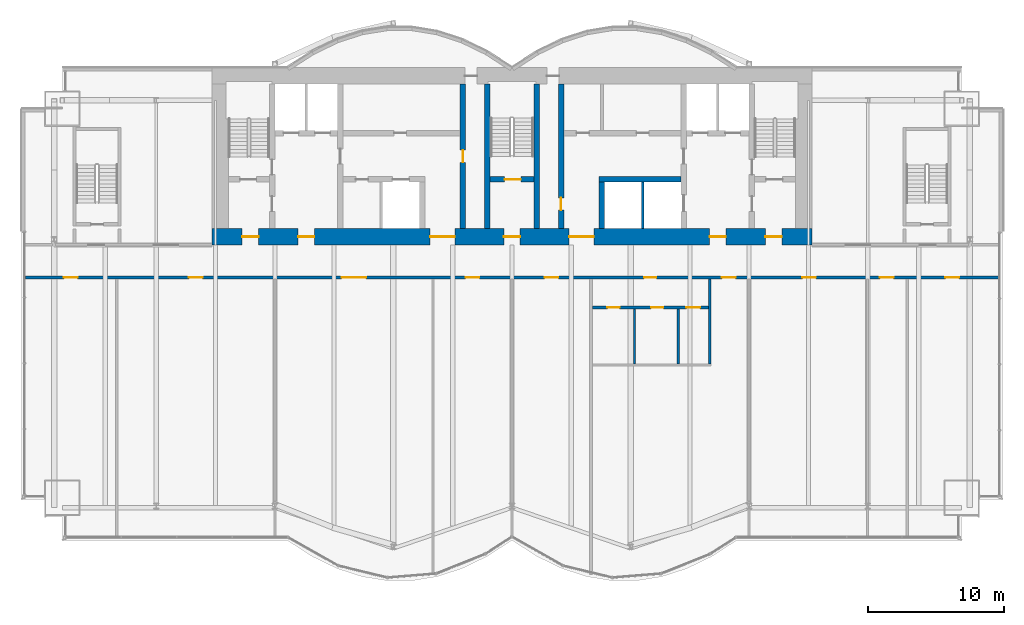
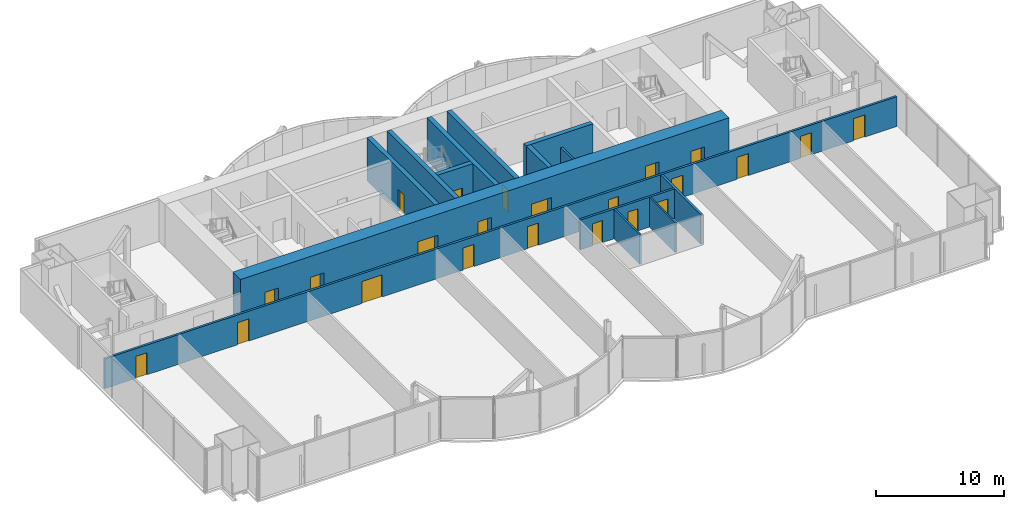
# One storey, part 16 of 21: 23 doors, 14 walls, 23 openings.
"""IFC4 building model written with IfcOpenShell, lengths in metres."""

from ifc_helpers import new_model, si_unit, direction, frame, frame_2d, origin, place, context, subcontext, project, spatial, rectangle, extrude, material, layer, layer_set, type_object, element, fill, save


model = new_model("IFC4")

# Units and contexts
model_context = context("Model", 3, precision=1e-05, world=origin(), true_north=direction((0.0, 1.0)))
body_context = subcontext(model_context, "Body", "Model", "MODEL_VIEW")
ifc_project = project(units=[si_unit("LENGTHUNIT", "METRE"), si_unit("AREAUNIT", "SQUARE_METRE"), si_unit("VOLUMEUNIT", "CUBIC_METRE"), si_unit("PLANEANGLEUNIT", "RADIAN"), si_unit("MASSUNIT", "GRAM", prefix="KILO")], contexts=[model_context])

# Site, building, storey
site_placement = place(None, origin())
site = spatial("IfcSite", under=ifc_project, at=site_placement, CompositionType="ELEMENT")
building_placement = place(site_placement, origin())
building = spatial("IfcBuilding", under=site, at=building_placement, Name="Bicima Exchange Tower", CompositionType="ELEMENT")
storey_placement = place(building_placement, frame((0.0, 0.0, 165.0)))
storey = spatial("IfcBuildingStorey", under=building, at=storey_placement, Name="L36", CompositionType="ELEMENT", Elevation=165.0)

# Wall
ifc_material_1 = material(Name="Gypsum board partition")
ifc_layer_1 = layer(ifc_material_1, 0.199951171875)
ifc_layer_set_1 = layer_set([ifc_layer_1], Name="Gypsum board partition")
wall_type_1 = type_object("IfcWallType", Name="Fire-rated gypsum partition 200 EI120", PredefinedType="PARTITIONING", material=ifc_layer_set_1)
wall_1_placement = place(storey_placement, frame((9.60009765625, -11.800048828125, 0.0), z_axis=(0.0, 0.0, 1.0), x_axis=(0.0, 1.0, 0.0)))
element("IfcWall", 1, at=wall_1_placement, inside=storey, type_object=wall_type_1, Name="partition wall 19", PredefinedType="PARTITIONING", context=body_context, shape_type="SweptSolid", body=[
    extrude(rectangle(XDim=3.400146484375, YDim=0.199951171875, at=frame_2d((1.7001953125, 0.0))), origin(), (0.0, 0.0, 1.0), 2.84033203125),
])

# Wall, openings, doors
ifc_layer_2 = layer(ifc_material_1, 0.199951171875)
ifc_layer_set_2 = layer_set([ifc_layer_2], Name="Gypsum board partition")
wall_type_2 = type_object("IfcWallType", Name="Fire-rated gypsum partition 200 EI60", PredefinedType="PARTITIONING", material=ifc_layer_set_2)
wall_2_placement = place(storey_placement, frame((5.89990234375, -17.60009765625, 0.0), z_axis=(0.0, 0.0, 1.0), x_axis=(1.0, 0.0, 0.0)))
wall_2 = element("IfcWall", 2, at=wall_2_placement, inside=storey, type_object=wall_type_2, Name="partition wall 2", PredefinedType="PARTITIONING", context=body_context, shape_type="SweptSolid", body=[
    extrude(rectangle(XDim=8.5, YDim=0.199951171875, at=frame_2d((4.25, 0.0))), origin(), (0.0, 0.0, 1.0), 2.84033203125),
])
opening_1_placement = place(wall_2_placement, frame((1.10009765625, 0.0, 0.0)))
opening_1 = element("IfcOpeningElement", 3, at=opening_1_placement, cuts=wall_2, Name="Opening L36-013", PredefinedType="OPENING", context=body_context, shape_type="SweptSolid", body=[
    extrude(rectangle(XDim=0.89990234375, YDim=2.10009765625, at=frame_2d((0.449951171875, 1.050048828125))), frame((0.0, 0.11181640625, 0.0), z_axis=(0.0, -1.0, 0.0), x_axis=(1.0, 0.0, 0.0)), (0.0, 0.0, 1.0), 0.223876953125),
])
opening_2_placement = place(wall_2_placement, frame((4.300048828125, 0.0, 0.0)))
opening_2 = element("IfcOpeningElement", 4, at=opening_2_placement, cuts=wall_2, Name="Opening L36-014", PredefinedType="OPENING", context=body_context, shape_type="SweptSolid", body=[
    extrude(rectangle(XDim=0.89990234375, YDim=2.10009765625, at=frame_2d((0.449951171875, 1.050048828125))), frame((0.0, 0.11181640625, 0.0), z_axis=(0.0, -1.0, 0.0), x_axis=(1.0, 0.0, 0.0)), (0.0, 0.0, 1.0), 0.223876953125),
])
opening_3_placement = place(wall_2_placement, frame((6.89990234375, 0.0, 0.0)))
opening_3 = element("IfcOpeningElement", 5, at=opening_3_placement, cuts=wall_2, Name="Opening L36-015", PredefinedType="OPENING", context=body_context, shape_type="SweptSolid", body=[
    extrude(rectangle(XDim=1.0, YDim=2.10009765625, at=frame_2d((0.5, 1.050048828125))), frame((0.0, 0.11181640625, 0.0), z_axis=(0.0, -1.0, 0.0), x_axis=(1.0, 0.0, 0.0)), (0.0, 0.0, 1.0), 0.223876953125),
])
ifc_material_2 = material(Name="Steel fire door leaf", Category="steel")
door_type_1 = type_object("IfcDoorType", Name="Door 1000 swing FD30S", OperationType="SINGLE_SWING_LEFT", PredefinedType="DOOR", material=ifc_material_2)
door_1_placement = place(opening_3_placement, frame((1.0, 0.0, 0.0), z_axis=(0.0, 0.0, 1.0), x_axis=(-1.0, 0.0, 0.0)))
door_1 = element("IfcDoor", 6, at=door_1_placement, inside=storey, type_object=door_type_1, Name="Door", OperationType="SINGLE_SWING_RIGHT", OverallHeight=2.10009765625, OverallWidth=1.0, PredefinedType="DOOR", context=body_context, shape_type="SweptSolid", body=[
    extrude(rectangle(XDim=1.0, YDim=2.10009765625, at=frame_2d((0.5, 1.050048828125))), frame((0.0, 0.02490234375, 0.0), z_axis=(0.0, -1.0, 0.0), x_axis=(1.0, 0.0, 0.0)), (0.0, 0.0, 1.0), 0.050048828125),
])
fill(opening_3, door_1)
door_type_2 = type_object("IfcDoorType", Name="Door 900 swing FD30S", OperationType="SINGLE_SWING_LEFT", PredefinedType="DOOR", material=ifc_material_2)
door_2_placement = place(opening_1_placement, frame((0.89990234375, 0.0, 0.0), z_axis=(0.0, 0.0, 1.0), x_axis=(-1.0, 0.0, 0.0)))
door_2 = element("IfcDoor", 7, at=door_2_placement, inside=storey, type_object=door_type_2, Name="Door", OperationType="SINGLE_SWING_LEFT", OverallHeight=2.10009765625, OverallWidth=0.89990234375, PredefinedType="DOOR", context=body_context, shape_type="SweptSolid", body=[
    extrude(rectangle(XDim=0.89990234375, YDim=2.10009765625, at=frame_2d((0.449951171875, 1.050048828125))), frame((0.0, 0.02490234375, 0.0), z_axis=(0.0, -1.0, 0.0), x_axis=(1.0, 0.0, 0.0)), (0.0, 0.0, 1.0), 0.050048828125),
])
fill(opening_1, door_2)
door_3_placement = place(opening_2_placement, frame((0.89990234375, 0.0, 0.0), z_axis=(0.0, 0.0, 1.0), x_axis=(-1.0, 0.0, 0.0)))
door_3 = element("IfcDoor", 8, at=door_3_placement, inside=storey, type_object=door_type_2, Name="Door", OperationType="SINGLE_SWING_RIGHT", OverallHeight=2.10009765625, OverallWidth=0.89990234375, PredefinedType="DOOR", context=body_context, shape_type="SweptSolid", body=[
    extrude(rectangle(XDim=0.89990234375, YDim=2.10009765625, at=frame_2d((0.449951171875, 1.050048828125))), frame((0.0, 0.02490234375, 0.0), z_axis=(0.0, -1.0, 0.0), x_axis=(1.0, 0.0, 0.0)), (0.0, 0.0, 1.0), 0.050048828125),
])
fill(opening_2, door_3)

wall_3_placement = place(storey_placement, frame((-35.679931640625, -15.39990234375, 0.0), z_axis=(0.0, 0.0, 1.0), x_axis=(1.0, 0.0, 0.0)))
wall_3 = element("IfcWall", 9, at=wall_3_placement, inside=storey, type_object=wall_type_2, Name="partition wall 3", PredefinedType="PARTITIONING", context=body_context, shape_type="SweptSolid", body=[
    extrude(rectangle(XDim=71.35986328125, YDim=0.199951171875, at=frame_2d((35.679931640625, 0.0))), origin(), (0.0, 0.0, 1.0), 2.84033203125),
])
opening_4_placement = place(wall_3_placement, frame((2.800048828125, 0.0, 0.0)))
opening_4 = element("IfcOpeningElement", 10, at=opening_4_placement, cuts=wall_3, Name="Opening L36-007", PredefinedType="OPENING", context=body_context, shape_type="SweptSolid", body=[
    extrude(rectangle(XDim=1.0, YDim=2.10009765625, at=frame_2d((0.5, 1.050048828125))), frame((0.0, 0.11181640625, 0.0), z_axis=(0.0, -1.0, 0.0), x_axis=(1.0, 0.0, 0.0)), (0.0, 0.0, 1.0), 0.223876953125),
])
opening_5_placement = place(wall_3_placement, frame((11.97998046875, 0.0, 0.0)))
opening_5 = element("IfcOpeningElement", 11, at=opening_5_placement, cuts=wall_3, Name="Opening L36-008", PredefinedType="OPENING", context=body_context, shape_type="SweptSolid", body=[
    extrude(rectangle(XDim=1.0, YDim=2.10009765625, at=frame_2d((0.5, 1.050048828125))), frame((0.0, 0.11181640625, 0.0), z_axis=(0.0, -1.0, 0.0), x_axis=(1.0, 0.0, 0.0)), (0.0, 0.0, 1.0), 0.223876953125),
])
opening_6_placement = place(wall_3_placement, frame((23.179931640625, 0.0, 0.0)))
opening_6 = element("IfcOpeningElement", 12, at=opening_6_placement, cuts=wall_3, Name="Opening L36-009", PredefinedType="OPENING", context=body_context, shape_type="SweptSolid", body=[
    extrude(rectangle(XDim=1.800048828125, YDim=2.10009765625, at=frame_2d((0.89990234375, 1.050048828125))), frame((0.0, 0.11181640625, 0.0), z_axis=(0.0, -1.0, 0.0), x_axis=(1.0, 0.0, 0.0)), (0.0, 0.0, 1.0), 0.223876953125),
])
opening_7_placement = place(wall_3_placement, frame((32.280029296875, 0.0, 0.0)))
opening_7 = element("IfcOpeningElement", 13, at=opening_7_placement, cuts=wall_3, Name="Opening L36-010", PredefinedType="OPENING", context=body_context, shape_type="SweptSolid", body=[
    extrude(rectangle(XDim=1.0, YDim=2.10009765625, at=frame_2d((0.5, 1.050048828125))), frame((0.0, 0.11181640625, 0.0), z_axis=(0.0, -1.0, 0.0), x_axis=(1.0, 0.0, 0.0)), (0.0, 0.0, 1.0), 0.223876953125),
])
opening_8_placement = place(wall_3_placement, frame((38.080078125, 0.0, 0.0)))
opening_8 = element("IfcOpeningElement", 14, at=opening_8_placement, cuts=wall_3, Name="Opening L36-011", PredefinedType="OPENING", context=body_context, shape_type="SweptSolid", body=[
    extrude(rectangle(XDim=1.0, YDim=2.10009765625, at=frame_2d((0.5, 1.050048828125))), frame((0.0, 0.11181640625, 0.0), z_axis=(0.0, -1.0, 0.0), x_axis=(1.0, 0.0, 0.0)), (0.0, 0.0, 1.0), 0.223876953125),
])
opening_9_placement = place(wall_3_placement, frame((45.3798828125, 0.0, 0.0)))
opening_9 = element("IfcOpeningElement", 15, at=opening_9_placement, cuts=wall_3, Name="Opening L36-012", PredefinedType="OPENING", context=body_context, shape_type="SweptSolid", body=[
    extrude(rectangle(XDim=0.89990234375, YDim=2.10009765625, at=frame_2d((0.449951171875, 1.050048828125))), frame((0.0, 0.11181640625, 0.0), z_axis=(0.0, -1.0, 0.0), x_axis=(1.0, 0.0, 0.0)), (0.0, 0.0, 1.0), 0.223876953125),
])
opening_10_placement = place(wall_3_placement, frame((51.080078125, 0.0, 0.0)))
opening_10 = element("IfcOpeningElement", 16, at=opening_10_placement, cuts=wall_3, Name="Opening L36-016", PredefinedType="OPENING", context=body_context, shape_type="SweptSolid", body=[
    extrude(rectangle(XDim=1.0, YDim=2.10009765625, at=frame_2d((0.5, 1.050048828125))), frame((0.0, 0.11181640625, 0.0), z_axis=(0.0, -1.0, 0.0), x_axis=(1.0, 0.0, 0.0)), (0.0, 0.0, 1.0), 0.223876953125),
])
opening_11_placement = place(wall_3_placement, frame((56.97998046875, 0.0, 0.0)))
opening_11 = element("IfcOpeningElement", 17, at=opening_11_placement, cuts=wall_3, Name="Opening L36-017", PredefinedType="OPENING", context=body_context, shape_type="SweptSolid", body=[
    extrude(rectangle(XDim=1.0, YDim=2.10009765625, at=frame_2d((0.5, 1.050048828125))), frame((0.0, 0.11181640625, 0.0), z_axis=(0.0, -1.0, 0.0), x_axis=(1.0, 0.0, 0.0)), (0.0, 0.0, 1.0), 0.223876953125),
])
opening_12_placement = place(wall_3_placement, frame((62.679931640625, 0.0, 0.0)))
opening_12 = element("IfcOpeningElement", 18, at=opening_12_placement, cuts=wall_3, Name="Opening L36-018", PredefinedType="OPENING", context=body_context, shape_type="SweptSolid", body=[
    extrude(rectangle(XDim=1.0, YDim=2.10009765625, at=frame_2d((0.5, 1.050048828125))), frame((0.0, 0.11181640625, 0.0), z_axis=(0.0, -1.0, 0.0), x_axis=(1.0, 0.0, 0.0)), (0.0, 0.0, 1.0), 0.223876953125),
])
opening_13_placement = place(wall_3_placement, frame((67.47998046875, 0.0, 0.0)))
opening_13 = element("IfcOpeningElement", 19, at=opening_13_placement, cuts=wall_3, Name="Opening L36-019", PredefinedType="OPENING", context=body_context, shape_type="SweptSolid", body=[
    extrude(rectangle(XDim=1.0, YDim=2.10009765625, at=frame_2d((0.5, 1.050048828125))), frame((0.0, 0.11181640625, 0.0), z_axis=(0.0, -1.0, 0.0), x_axis=(1.0, 0.0, 0.0)), (0.0, 0.0, 1.0), 0.223876953125),
])
door_4_placement = place(opening_4_placement, frame((1.0, 0.0, 0.0), z_axis=(0.0, 0.0, 1.0), x_axis=(-1.0, 0.0, 0.0)))
door_4 = element("IfcDoor", 20, at=door_4_placement, inside=storey, type_object=door_type_1, Name="Door", OperationType="SINGLE_SWING_LEFT", OverallHeight=2.10009765625, OverallWidth=1.0, PredefinedType="DOOR", context=body_context, shape_type="SweptSolid", body=[
    extrude(rectangle(XDim=1.0, YDim=2.10009765625, at=frame_2d((0.5, 1.050048828125))), frame((0.0, 0.02490234375, 0.0), z_axis=(0.0, -1.0, 0.0), x_axis=(1.0, 0.0, 0.0)), (0.0, 0.0, 1.0), 0.050048828125),
])
fill(opening_4, door_4)
door_5_placement = place(opening_5_placement, frame((1.0, 0.0, 0.0), z_axis=(0.0, 0.0, 1.0), x_axis=(-1.0, 0.0, 0.0)))
door_5 = element("IfcDoor", 21, at=door_5_placement, inside=storey, type_object=door_type_1, Name="Door", OperationType="SINGLE_SWING_RIGHT", OverallHeight=2.10009765625, OverallWidth=1.0, PredefinedType="DOOR", context=body_context, shape_type="SweptSolid", body=[
    extrude(rectangle(XDim=1.0, YDim=2.10009765625, at=frame_2d((0.5, 1.050048828125))), frame((0.0, 0.02490234375, 0.0), z_axis=(0.0, -1.0, 0.0), x_axis=(1.0, 0.0, 0.0)), (0.0, 0.0, 1.0), 0.050048828125),
])
fill(opening_5, door_5)
door_6_placement = place(opening_7_placement, frame((1.0, 0.0, 0.0), z_axis=(0.0, 0.0, 1.0), x_axis=(-1.0, 0.0, 0.0)))
door_6 = element("IfcDoor", 22, at=door_6_placement, inside=storey, type_object=door_type_1, Name="Door", OperationType="SINGLE_SWING_LEFT", OverallHeight=2.10009765625, OverallWidth=1.0, PredefinedType="DOOR", context=body_context, shape_type="SweptSolid", body=[
    extrude(rectangle(XDim=1.0, YDim=2.10009765625, at=frame_2d((0.5, 1.050048828125))), frame((0.0, 0.02490234375, 0.0), z_axis=(0.0, -1.0, 0.0), x_axis=(1.0, 0.0, 0.0)), (0.0, 0.0, 1.0), 0.050048828125),
])
fill(opening_7, door_6)
door_7_placement = place(opening_8_placement, frame((1.0, 0.0, 0.0), z_axis=(0.0, 0.0, 1.0), x_axis=(-1.0, 0.0, 0.0)))
door_7 = element("IfcDoor", 23, at=door_7_placement, inside=storey, type_object=door_type_1, Name="Door", OperationType="SINGLE_SWING_RIGHT", OverallHeight=2.10009765625, OverallWidth=1.0, PredefinedType="DOOR", context=body_context, shape_type="SweptSolid", body=[
    extrude(rectangle(XDim=1.0, YDim=2.10009765625, at=frame_2d((0.5, 1.050048828125))), frame((0.0, 0.02490234375, 0.0), z_axis=(0.0, -1.0, 0.0), x_axis=(1.0, 0.0, 0.0)), (0.0, 0.0, 1.0), 0.050048828125),
])
fill(opening_8, door_7)
door_8_placement = place(opening_10_placement, frame((1.0, 0.0, 0.0), z_axis=(0.0, 0.0, 1.0), x_axis=(-1.0, 0.0, 0.0)))
door_8 = element("IfcDoor", 24, at=door_8_placement, inside=storey, type_object=door_type_1, Name="Door", OperationType="SINGLE_SWING_LEFT", OverallHeight=2.10009765625, OverallWidth=1.0, PredefinedType="DOOR", context=body_context, shape_type="SweptSolid", body=[
    extrude(rectangle(XDim=1.0, YDim=2.10009765625, at=frame_2d((0.5, 1.050048828125))), frame((0.0, 0.02490234375, 0.0), z_axis=(0.0, -1.0, 0.0), x_axis=(1.0, 0.0, 0.0)), (0.0, 0.0, 1.0), 0.050048828125),
])
fill(opening_10, door_8)
door_9_placement = place(opening_11_placement, frame((1.0, 0.0, 0.0), z_axis=(0.0, 0.0, 1.0), x_axis=(-1.0, 0.0, 0.0)))
door_9 = element("IfcDoor", 25, at=door_9_placement, inside=storey, type_object=door_type_1, Name="Door", OperationType="SINGLE_SWING_RIGHT", OverallHeight=2.10009765625, OverallWidth=1.0, PredefinedType="DOOR", context=body_context, shape_type="SweptSolid", body=[
    extrude(rectangle(XDim=1.0, YDim=2.10009765625, at=frame_2d((0.5, 1.050048828125))), frame((0.0, 0.02490234375, 0.0), z_axis=(0.0, -1.0, 0.0), x_axis=(1.0, 0.0, 0.0)), (0.0, 0.0, 1.0), 0.050048828125),
])
fill(opening_11, door_9)
door_10_placement = place(opening_12_placement, frame((1.0, 0.0, 0.0), z_axis=(0.0, 0.0, 1.0), x_axis=(-1.0, 0.0, 0.0)))
door_10 = element("IfcDoor", 26, at=door_10_placement, inside=storey, type_object=door_type_1, Name="Door", OperationType="SINGLE_SWING_RIGHT", OverallHeight=2.10009765625, OverallWidth=1.0, PredefinedType="DOOR", context=body_context, shape_type="SweptSolid", body=[
    extrude(rectangle(XDim=1.0, YDim=2.10009765625, at=frame_2d((0.5, 1.050048828125))), frame((0.0, 0.02490234375, 0.0), z_axis=(0.0, -1.0, 0.0), x_axis=(1.0, 0.0, 0.0)), (0.0, 0.0, 1.0), 0.050048828125),
])
fill(opening_12, door_10)
door_11_placement = place(opening_13_placement, frame((1.0, 0.0, 0.0), z_axis=(0.0, 0.0, 1.0), x_axis=(-1.0, 0.0, 0.0)))
door_11 = element("IfcDoor", 27, at=door_11_placement, inside=storey, type_object=door_type_1, Name="Door", OperationType="SINGLE_SWING_LEFT", OverallHeight=2.10009765625, OverallWidth=1.0, PredefinedType="DOOR", context=body_context, shape_type="SweptSolid", body=[
    extrude(rectangle(XDim=1.0, YDim=2.10009765625, at=frame_2d((0.5, 1.050048828125))), frame((0.0, 0.02490234375, 0.0), z_axis=(0.0, -1.0, 0.0), x_axis=(1.0, 0.0, 0.0)), (0.0, 0.0, 1.0), 0.050048828125),
])
fill(opening_13, door_11)
door_type_3 = type_object("IfcDoorType", Name="Door 1800 double swing FD30S", OperationType="DOUBLE_DOOR_SINGLE_SWING", PredefinedType="DOOR", material=ifc_material_2)
door_12_placement = place(opening_6_placement, origin())
door_12 = element("IfcDoor", 28, at=door_12_placement, inside=storey, type_object=door_type_3, Name="Door", OperationType="SINGLE_SWING_LEFT", OverallHeight=2.10009765625, OverallWidth=1.800048828125, PredefinedType="DOOR", context=body_context, shape_type="SweptSolid", body=[
    extrude(rectangle(XDim=1.800048828125, YDim=2.10009765625, at=frame_2d((0.89990234375, 1.050048828125))), frame((0.0, 0.02490234375, 0.0), z_axis=(0.0, -1.0, 0.0), x_axis=(1.0, 0.0, 0.0)), (0.0, 0.0, 1.0), 0.050048828125),
])
fill(opening_6, door_12)
door_13_placement = place(opening_9_placement, frame((0.89990234375, 0.0, 0.0), z_axis=(0.0, 0.0, 1.0), x_axis=(-1.0, 0.0, 0.0)))
door_13 = element("IfcDoor", 29, at=door_13_placement, inside=storey, type_object=door_type_2, Name="Door", OperationType="SINGLE_SWING_RIGHT", OverallHeight=2.10009765625, OverallWidth=0.89990234375, PredefinedType="DOOR", context=body_context, shape_type="SweptSolid", body=[
    extrude(rectangle(XDim=0.89990234375, YDim=2.10009765625, at=frame_2d((0.449951171875, 1.050048828125))), frame((0.0, 0.02490234375, 0.0), z_axis=(0.0, -1.0, 0.0), x_axis=(1.0, 0.0, 0.0)), (0.0, 0.0, 1.0), 0.050048828125),
])
fill(opening_9, door_13)

# Walls
wall_4_placement = place(storey_placement, frame((14.5, -21.72509765625, 0.0), z_axis=(0.0, 0.0, 1.0), x_axis=(0.0, 1.0, 0.0)))
element("IfcWall", 30, at=wall_4_placement, inside=storey, type_object=wall_type_2, Name="partition wall 22", PredefinedType="PARTITIONING", context=body_context, shape_type="SweptSolid", body=[
    extrude(rectangle(XDim=6.22509765625, YDim=0.199951171875, at=frame_2d((3.112548828125, 0.0))), origin(), (0.0, 0.0, 1.0), 2.84033203125),
])
ifc_layer_3 = layer(ifc_material_1, 0.14990234375)
ifc_layer_set_3 = layer_set([ifc_layer_3], Name="Gypsum board partition")
wall_type_3 = type_object("IfcWallType", Name="Gypsum partition 150", PredefinedType="PARTITIONING", material=ifc_layer_set_3)
for number, where, z_axis, x_axis, name in (
    (31, (9.0, -21.72509765625, 0.0), (0.0, 0.0, 1.0), (0.0, 1.0, 0.0), "partition wall 20"),
    (32, (12.199951171875, -21.72509765625, 0.0), (0.0, 0.0, 1.0), (0.0, 1.0, 0.0), "partition wall 21"),
):
    element("IfcWall", number, at=place(storey_placement, frame(where, z_axis=z_axis, x_axis=x_axis)), inside=storey, type_object=wall_type_3, Name=name, PredefinedType="PARTITIONING", context=body_context, shape_type="SweptSolid", body=[
        extrude(rectangle(XDim=4.025146484375, YDim=0.14990234375, at=frame_2d((2.0126953125, 0.0))), origin(), (0.0, 0.0, 1.0), 2.84033203125),
    ])

# Wall, openings, doors
ifc_material_3 = material(Name="Concrete C50/60", Category="concrete")
ifc_layer_4 = layer(ifc_material_3, 1.199951171875)
ifc_layer_set_4 = layer_set([ifc_layer_4], Name="Concrete C50/60")
wall_type_4 = type_object("IfcWallType", Name="RC core wall 1200 C50/60", PredefinedType="SHEAR", material=ifc_layer_set_4)
wall_5_placement = place(storey_placement, frame((-22.0, -12.39990234375, 0.0), z_axis=(0.0, 0.0, 1.0), x_axis=(1.0, 0.0, 0.0)))
wall_5 = element("IfcWall", 33, at=wall_5_placement, inside=storey, type_object=wall_type_4, Name="Core wall south", PredefinedType="SHEAR", context=body_context, shape_type="SweptSolid", body=[
    extrude(rectangle(XDim=44.0, YDim=1.199951171875, at=frame_2d((22.0, 0.0))), origin(), (0.0, 0.0, 1.0), 4.10009765625),
])
opening_14_placement = place(wall_5_placement, frame((2.199951171875, 0.0, 0.0)))
opening_14 = element("IfcOpeningElement", 34, at=opening_14_placement, cuts=wall_5, Name="Opening L36-C18", PredefinedType="OPENING", context=body_context, shape_type="SweptSolid", body=[
    extrude(rectangle(XDim=1.199951171875, YDim=2.10009765625, at=frame_2d((0.60009765625, 1.050048828125))), frame((0.0, 0.61181640625, 0.0), z_axis=(0.0, -1.0, 0.0), x_axis=(1.0, 0.0, 0.0)), (0.0, 0.0, 1.0), 1.223876953125),
])
opening_15_placement = place(wall_5_placement, frame((21.39990234375, 0.0, 0.0)))
opening_15 = element("IfcOpeningElement", 35, at=opening_15_placement, cuts=wall_5, Name="Opening L36-C19", PredefinedType="OPENING", context=body_context, shape_type="SweptSolid", body=[
    extrude(rectangle(XDim=1.199951171875, YDim=2.10009765625, at=frame_2d((0.60009765625, 1.050048828125))), frame((0.0, 0.61181640625, 0.0), z_axis=(0.0, -1.0, 0.0), x_axis=(1.0, 0.0, 0.0)), (0.0, 0.0, 1.0), 1.223876953125),
])
opening_16_placement = place(wall_5_placement, frame((40.60009765625, 0.0, 0.0)))
opening_16 = element("IfcOpeningElement", 36, at=opening_16_placement, cuts=wall_5, Name="Opening L36-C20", PredefinedType="OPENING", context=body_context, shape_type="SweptSolid", body=[
    extrude(rectangle(XDim=1.199951171875, YDim=2.10009765625, at=frame_2d((0.60009765625, 1.050048828125))), frame((0.0, 0.61181640625, 0.0), z_axis=(0.0, -1.0, 0.0), x_axis=(1.0, 0.0, 0.0)), (0.0, 0.0, 1.0), 1.223876953125),
])
opening_17_placement = place(wall_5_placement, frame((16.0, 0.0, 0.0)))
opening_17 = element("IfcOpeningElement", 37, at=opening_17_placement, cuts=wall_5, Name="Opening L36-C21", PredefinedType="OPENING", context=body_context, shape_type="SweptSolid", body=[
    extrude(rectangle(XDim=1.800048828125, YDim=2.10009765625, at=frame_2d((0.89990234375, 1.050048828125))), frame((0.0, 0.61181640625, 0.0), z_axis=(0.0, -1.0, 0.0), x_axis=(1.0, 0.0, 0.0)), (0.0, 0.0, 1.0), 1.223876953125),
])
opening_18_placement = place(wall_5_placement, frame((6.300048828125, 0.0, 0.0)))
opening_18 = element("IfcOpeningElement", 38, at=opening_18_placement, cuts=wall_5, Name="Opening L36-C22", PredefinedType="OPENING", context=body_context, shape_type="SweptSolid", body=[
    extrude(rectangle(XDim=1.199951171875, YDim=2.10009765625, at=frame_2d((0.60009765625, 1.050048828125))), frame((0.0, 0.61181640625, 0.0), z_axis=(0.0, -1.0, 0.0), x_axis=(1.0, 0.0, 0.0)), (0.0, 0.0, 1.0), 1.223876953125),
])
opening_19_placement = place(wall_5_placement, frame((26.199951171875, 0.0, 0.0)))
opening_19 = element("IfcOpeningElement", 39, at=opening_19_placement, cuts=wall_5, Name="Opening L36-C23", PredefinedType="OPENING", context=body_context, shape_type="SweptSolid", body=[
    extrude(rectangle(XDim=1.800048828125, YDim=2.10009765625, at=frame_2d((0.89990234375, 1.050048828125))), frame((0.0, 0.61181640625, 0.0), z_axis=(0.0, -1.0, 0.0), x_axis=(1.0, 0.0, 0.0)), (0.0, 0.0, 1.0), 1.223876953125),
])
opening_20_placement = place(wall_5_placement, frame((36.5, 0.0, 0.0)))
opening_20 = element("IfcOpeningElement", 40, at=opening_20_placement, cuts=wall_5, Name="Opening L36-C24", PredefinedType="OPENING", context=body_context, shape_type="SweptSolid", body=[
    extrude(rectangle(XDim=1.199951171875, YDim=2.10009765625, at=frame_2d((0.60009765625, 1.050048828125))), frame((0.0, 0.61181640625, 0.0), z_axis=(0.0, -1.0, 0.0), x_axis=(1.0, 0.0, 0.0)), (0.0, 0.0, 1.0), 1.223876953125),
])
door_type_4 = type_object("IfcDoorType", Name="Door 1200 swing FD60S", OperationType="SINGLE_SWING_LEFT", PredefinedType="DOOR", material=ifc_material_2)
door_14_placement = place(opening_14_placement, frame((1.199951171875, 0.0, 0.0), z_axis=(0.0, 0.0, 1.0), x_axis=(-1.0, 0.0, 0.0)))
door_14 = element("IfcDoor", 41, at=door_14_placement, inside=storey, type_object=door_type_4, Name="Core door", OperationType="SINGLE_SWING_RIGHT", OverallHeight=2.10009765625, OverallWidth=1.199951171875, PredefinedType="DOOR", context=body_context, shape_type="SweptSolid", body=[
    extrude(rectangle(XDim=1.199951171875, YDim=2.10009765625, at=frame_2d((0.60009765625, 1.050048828125))), frame((0.0, 0.02490234375, 0.0), z_axis=(0.0, -1.0, 0.0), x_axis=(1.0, 0.0, 0.0)), (0.0, 0.0, 1.0), 0.050048828125),
])
fill(opening_14, door_14)
door_15_placement = place(opening_15_placement, frame((1.199951171875, 0.0, 0.0), z_axis=(0.0, 0.0, 1.0), x_axis=(-1.0, 0.0, 0.0)))
door_15 = element("IfcDoor", 42, at=door_15_placement, inside=storey, type_object=door_type_4, Name="Core door", OperationType="SINGLE_SWING_RIGHT", OverallHeight=2.10009765625, OverallWidth=1.199951171875, PredefinedType="DOOR", context=body_context, shape_type="SweptSolid", body=[
    extrude(rectangle(XDim=1.199951171875, YDim=2.10009765625, at=frame_2d((0.60009765625, 1.050048828125))), frame((0.0, 0.02490234375, 0.0), z_axis=(0.0, -1.0, 0.0), x_axis=(1.0, 0.0, 0.0)), (0.0, 0.0, 1.0), 0.050048828125),
])
fill(opening_15, door_15)
door_16_placement = place(opening_16_placement, frame((1.199951171875, 0.0, 0.0), z_axis=(0.0, 0.0, 1.0), x_axis=(-1.0, 0.0, 0.0)))
door_16 = element("IfcDoor", 43, at=door_16_placement, inside=storey, type_object=door_type_4, Name="Core door", OperationType="SINGLE_SWING_RIGHT", OverallHeight=2.10009765625, OverallWidth=1.199951171875, PredefinedType="DOOR", context=body_context, shape_type="SweptSolid", body=[
    extrude(rectangle(XDim=1.199951171875, YDim=2.10009765625, at=frame_2d((0.60009765625, 1.050048828125))), frame((0.0, 0.02490234375, 0.0), z_axis=(0.0, -1.0, 0.0), x_axis=(1.0, 0.0, 0.0)), (0.0, 0.0, 1.0), 0.050048828125),
])
fill(opening_16, door_16)
door_17_placement = place(opening_18_placement, frame((1.199951171875, 0.0, 0.0), z_axis=(0.0, 0.0, 1.0), x_axis=(-1.0, 0.0, 0.0)))
door_17 = element("IfcDoor", 44, at=door_17_placement, inside=storey, type_object=door_type_4, Name="Core door", OperationType="SINGLE_SWING_RIGHT", OverallHeight=2.10009765625, OverallWidth=1.199951171875, PredefinedType="DOOR", context=body_context, shape_type="SweptSolid", body=[
    extrude(rectangle(XDim=1.199951171875, YDim=2.10009765625, at=frame_2d((0.60009765625, 1.050048828125))), frame((0.0, 0.02490234375, 0.0), z_axis=(0.0, -1.0, 0.0), x_axis=(1.0, 0.0, 0.0)), (0.0, 0.0, 1.0), 0.050048828125),
])
fill(opening_18, door_17)
door_18_placement = place(opening_20_placement, frame((1.199951171875, 0.0, 0.0), z_axis=(0.0, 0.0, 1.0), x_axis=(-1.0, 0.0, 0.0)))
door_18 = element("IfcDoor", 45, at=door_18_placement, inside=storey, type_object=door_type_4, Name="Core door", OperationType="SINGLE_SWING_RIGHT", OverallHeight=2.10009765625, OverallWidth=1.199951171875, PredefinedType="DOOR", context=body_context, shape_type="SweptSolid", body=[
    extrude(rectangle(XDim=1.199951171875, YDim=2.10009765625, at=frame_2d((0.60009765625, 1.050048828125))), frame((0.0, 0.02490234375, 0.0), z_axis=(0.0, -1.0, 0.0), x_axis=(1.0, 0.0, 0.0)), (0.0, 0.0, 1.0), 0.050048828125),
])
fill(opening_20, door_18)
door_19_placement = place(opening_17_placement, origin())
door_19 = element("IfcDoor", 46, at=door_19_placement, inside=storey, type_object=door_type_3, Name="Core door", OperationType="SINGLE_SWING_LEFT", OverallHeight=2.10009765625, OverallWidth=1.800048828125, PredefinedType="DOOR", context=body_context, shape_type="SweptSolid", body=[
    extrude(rectangle(XDim=1.800048828125, YDim=2.10009765625, at=frame_2d((0.89990234375, 1.050048828125))), frame((0.0, 0.02490234375, 0.0), z_axis=(0.0, -1.0, 0.0), x_axis=(1.0, 0.0, 0.0)), (0.0, 0.0, 1.0), 0.050048828125),
])
fill(opening_17, door_19)
door_20_placement = place(opening_19_placement, origin())
door_20 = element("IfcDoor", 47, at=door_20_placement, inside=storey, type_object=door_type_3, Name="Core door", OperationType="SINGLE_SWING_LEFT", OverallHeight=2.10009765625, OverallWidth=1.800048828125, PredefinedType="DOOR", context=body_context, shape_type="SweptSolid", body=[
    extrude(rectangle(XDim=1.800048828125, YDim=2.10009765625, at=frame_2d((0.89990234375, 1.050048828125))), frame((0.0, 0.02490234375, 0.0), z_axis=(0.0, -1.0, 0.0), x_axis=(1.0, 0.0, 0.0)), (0.0, 0.0, 1.0), 0.050048828125),
])
fill(opening_19, door_20)

# Wall, opening, door
ifc_layer_5 = layer(ifc_material_3, 0.39990234375)
ifc_layer_set_5 = layer_set([ifc_layer_5], Name="Concrete C50/60")
wall_type_5 = type_object("IfcWallType", Name="RC core wall 400 C50/60", PredefinedType="SHEAR", material=ifc_layer_set_5)
wall_6_placement = place(storey_placement, frame((-1.60009765625, -8.199951171875, 0.0), z_axis=(0.0, 0.0, 1.0), x_axis=(1.0, 0.0, 0.0)))
wall_6 = element("IfcWall", 48, at=wall_6_placement, inside=storey, type_object=wall_type_5, Name="stair wall 3", PredefinedType="SHEAR", context=body_context, shape_type="SweptSolid", body=[
    extrude(rectangle(XDim=3.2001953125, YDim=0.39990234375, at=frame_2d((1.60009765625, 0.0))), origin(), (0.0, 0.0, 1.0), 4.10009765625),
])
opening_21_placement = place(wall_6_placement, frame((1.050048828125, 0.0, 0.0)))
opening_21 = element("IfcOpeningElement", 49, at=opening_21_placement, cuts=wall_6, Name="Opening L36-C03", PredefinedType="OPENING", context=body_context, shape_type="SweptSolid", body=[
    extrude(rectangle(XDim=1.199951171875, YDim=2.10009765625, at=frame_2d((0.60009765625, 1.050048828125))), frame((0.0, 0.2119140625, 0.0), z_axis=(0.0, -1.0, 0.0), x_axis=(1.0, 0.0, 0.0)), (0.0, 0.0, 1.0), 0.423828125),
])
door_21_placement = place(opening_21_placement, origin())
door_21 = element("IfcDoor", 50, at=door_21_placement, inside=storey, type_object=door_type_4, Name="Core door", OperationType="SINGLE_SWING_LEFT", OverallHeight=2.10009765625, OverallWidth=1.199951171875, PredefinedType="DOOR", context=body_context, shape_type="SweptSolid", body=[
    extrude(rectangle(XDim=1.199951171875, YDim=2.10009765625, at=frame_2d((0.60009765625, 1.050048828125))), frame((0.0, 0.02490234375, 0.0), z_axis=(0.0, -1.0, 0.0), x_axis=(1.0, 0.0, 0.0)), (0.0, 0.0, 1.0), 0.050048828125),
])
fill(opening_21, door_21)

# Wall
wall_7_placement = place(storey_placement, frame((6.39990234375, -8.199951171875, 0.0), z_axis=(0.0, 0.0, 1.0), x_axis=(1.0, 0.0, 0.0)))
element("IfcWall", 51, at=wall_7_placement, inside=storey, type_object=wall_type_5, Name="shear wall 4", PredefinedType="SHEAR", context=body_context, shape_type="SweptSolid", body=[
    extrude(rectangle(XDim=6.0, YDim=0.39990234375, at=frame_2d((3.0, 0.0))), origin(), (0.0, 0.0, 1.0), 4.10009765625),
])

# Wall, opening, door
wall_8_placement = place(storey_placement, frame((-3.60009765625, -11.800048828125, 0.0), z_axis=(0.0, 0.0, 1.0), x_axis=(0.0, 1.0, 0.0)))
wall_8 = element("IfcWall", 52, at=wall_8_placement, inside=storey, type_object=wall_type_5, Name="shear wall 13", PredefinedType="SHEAR", context=body_context, shape_type="SweptSolid", body=[
    extrude(rectangle(XDim=10.60009765625, YDim=0.39990234375, at=frame_2d((5.300048828125, 0.0))), origin(), (0.0, 0.0, 1.0), 4.10009765625),
])
opening_22_placement = place(wall_8_placement, frame((4.85009765625, 0.0, 0.0)))
opening_22 = element("IfcOpeningElement", 53, at=opening_22_placement, cuts=wall_8, Name="Opening L36-C10", PredefinedType="OPENING", context=body_context, shape_type="SweptSolid", body=[
    extrude(rectangle(XDim=0.89990234375, YDim=2.10009765625, at=frame_2d((0.449951171875, 1.050048828125))), frame((0.0, 0.2119140625, 0.0), z_axis=(0.0, -1.0, 0.0), x_axis=(1.0, 0.0, 0.0)), (0.0, 0.0, 1.0), 0.423828125),
])
door_22_placement = place(opening_22_placement, frame((0.89990234375, 0.0, 0.0), z_axis=(0.0, 0.0, 1.0), x_axis=(-1.0, 0.0, 0.0)))
door_22 = element("IfcDoor", 54, at=door_22_placement, inside=storey, type_object=door_type_2, Name="Core door", OperationType="SINGLE_SWING_LEFT", OverallHeight=2.10009765625, OverallWidth=0.89990234375, PredefinedType="DOOR", context=body_context, shape_type="SweptSolid", body=[
    extrude(rectangle(XDim=0.89990234375, YDim=2.10009765625, at=frame_2d((0.449951171875, 1.050048828125))), frame((0.0, 0.02490234375, 0.0), z_axis=(0.0, -1.0, 0.0), x_axis=(1.0, 0.0, 0.0)), (0.0, 0.0, 1.0), 0.050048828125),
])
fill(opening_22, door_22)

# Walls
for number, where, z_axis, x_axis, name in (
    (55, (-1.800048828125, -11.800048828125, 0.0), (0.0, 0.0, 1.0), (0.0, 1.0, 0.0), "stair wall 14"),
    (56, (1.800048828125, -11.800048828125, 0.0), (0.0, 0.0, 1.0), (0.0, 1.0, 0.0), "stair wall 15"),
):
    element("IfcWall", number, at=place(storey_placement, frame(where, z_axis=z_axis, x_axis=x_axis)), inside=storey, type_object=wall_type_5, Name=name, PredefinedType="SHEAR", context=body_context, shape_type="SweptSolid", body=[
        extrude(rectangle(XDim=10.60009765625, YDim=0.39990234375, at=frame_2d((5.300048828125, 0.0))), origin(), (0.0, 0.0, 1.0), 4.10009765625),
    ])

# Wall, opening, door
wall_9_placement = place(storey_placement, frame((3.60009765625, -11.800048828125, 0.0), z_axis=(0.0, 0.0, 1.0), x_axis=(0.0, 1.0, 0.0)))
wall_9 = element("IfcWall", 57, at=wall_9_placement, inside=storey, type_object=wall_type_5, Name="shear wall 16", PredefinedType="SHEAR", context=body_context, shape_type="SweptSolid", body=[
    extrude(rectangle(XDim=10.60009765625, YDim=0.39990234375, at=frame_2d((5.300048828125, 0.0))), origin(), (0.0, 0.0, 1.0), 4.10009765625),
])
opening_23_placement = place(wall_9_placement, frame((1.35009765625, 0.0, 0.0)))
opening_23 = element("IfcOpeningElement", 58, at=opening_23_placement, cuts=wall_9, Name="Opening L36-C11", PredefinedType="OPENING", context=body_context, shape_type="SweptSolid", body=[
    extrude(rectangle(XDim=0.89990234375, YDim=2.10009765625, at=frame_2d((0.449951171875, 1.050048828125))), frame((0.0, 0.2119140625, 0.0), z_axis=(0.0, -1.0, 0.0), x_axis=(1.0, 0.0, 0.0)), (0.0, 0.0, 1.0), 0.423828125),
])
door_23_placement = place(opening_23_placement, origin())
door_23 = element("IfcDoor", 59, at=door_23_placement, inside=storey, type_object=door_type_2, Name="Core door", OperationType="SINGLE_SWING_LEFT", OverallHeight=2.10009765625, OverallWidth=0.89990234375, PredefinedType="DOOR", context=body_context, shape_type="SweptSolid", body=[
    extrude(rectangle(XDim=0.89990234375, YDim=2.10009765625, at=frame_2d((0.449951171875, 1.050048828125))), frame((0.0, 0.02490234375, 0.0), z_axis=(0.0, -1.0, 0.0), x_axis=(1.0, 0.0, 0.0)), (0.0, 0.0, 1.0), 0.050048828125),
])
fill(opening_23, door_23)

# Wall
wall_10_placement = place(storey_placement, frame((6.60009765625, -11.800048828125, 0.0), z_axis=(0.0, 0.0, 1.0), x_axis=(0.0, 1.0, 0.0)))
element("IfcWall", 60, at=wall_10_placement, inside=storey, type_object=wall_type_5, Name="shear wall 17", PredefinedType="SHEAR", context=body_context, shape_type="SweptSolid", body=[
    extrude(rectangle(XDim=3.400146484375, YDim=0.39990234375, at=frame_2d((1.7001953125, 0.0))), origin(), (0.0, 0.0, 1.0), 4.10009765625),
])

save(model, "model.ifc")
